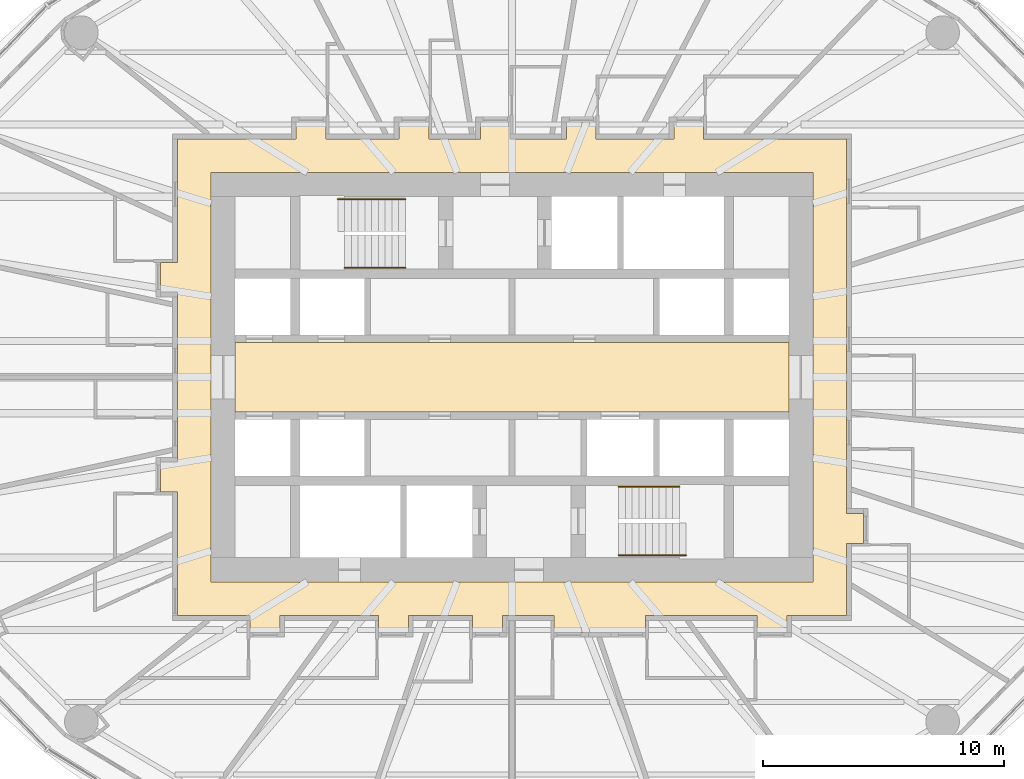
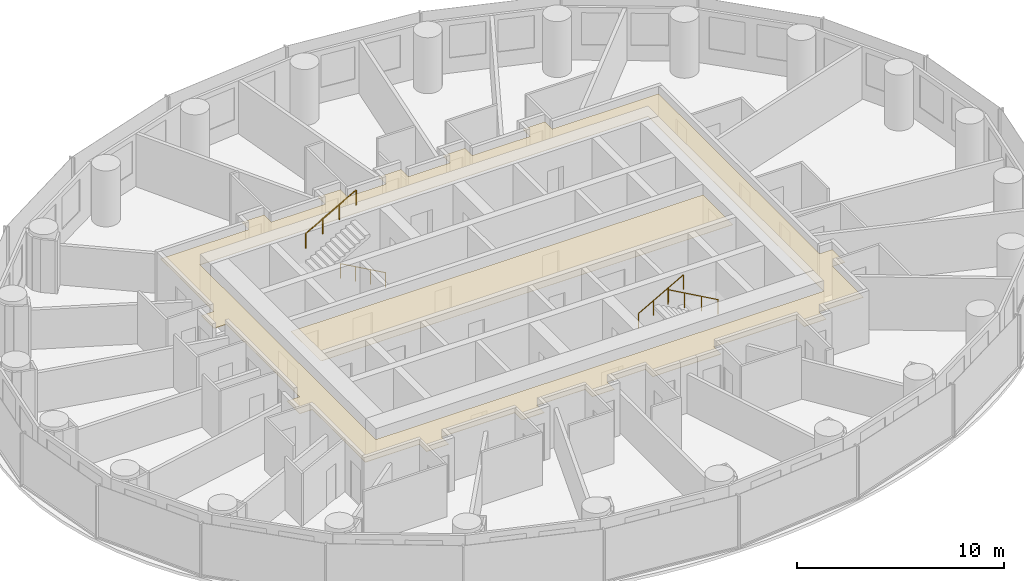
# One storey, part 14 of 14: 4 railings, 2 coverings.
"""IFC4 building model written with IfcOpenShell, lengths in metres."""

from ifc_helpers import new_model, si_unit, direction, frame, origin, origin_2d, place, context, subcontext, project, spatial, polyline, circle, outline, extrude, material, layer, layer_set, type_object, element, save


model = new_model("IFC4")

# Units and contexts
model_context = context("Model", 3, precision=1e-05, world=origin(), true_north=direction((0.0, 1.0)))
body_context = subcontext(model_context, "Body", "Model", "MODEL_VIEW")
ifc_project = project(units=[si_unit("LENGTHUNIT", "METRE"), si_unit("AREAUNIT", "SQUARE_METRE"), si_unit("VOLUMEUNIT", "CUBIC_METRE"), si_unit("PLANEANGLEUNIT", "RADIAN"), si_unit("MASSUNIT", "GRAM", prefix="KILO")], contexts=[model_context])

# Site, building, storey
site_placement = place(None, origin())
site = spatial("IfcSite", under=ifc_project, at=site_placement, CompositionType="ELEMENT")
building_placement = place(site_placement, origin())
building = spatial("IfcBuilding", under=site, at=building_placement, Name="Hankou Lantern Tower", CompositionType="ELEMENT")
storey_placement = place(building_placement, frame((0.0, 0.0, 57.300048828125)))
storey = spatial("IfcBuildingStorey", under=building, at=storey_placement, Name="L13", CompositionType="ELEMENT", Elevation=57.300048828125)

# Coverings
ifc_material_1 = material(Name="Black painted aluminium linear ceiling panels", Category="aluminium")
ifc_layer_1 = layer(ifc_material_1, 0.02490234375)
ifc_layer_set_1 = layer_set([ifc_layer_1], Name="Black painted aluminium linear ceiling panels")
covering_type_1 = type_object("IfcCoveringType", Name="CL1 CORRIDOR CEILING 25", PredefinedType="CEILING", material=ifc_layer_set_1)
covering_1_placement = place(storey_placement, frame((0.0, 0.0, 2.64501953125)))
element("IfcCovering", 1, at=covering_1_placement, inside=storey, type_object=covering_type_1, Name="Corridor ceiling L13", PredefinedType="CEILING", context=body_context, shape_type="SweptSolid", body=[
    extrude(outline(polyline([(-10.885009765625, -10.60009765625), (-9.64501953125, -10.60009765625), (-9.64501953125, -9.89990234375), (-5.549072265625, -9.89990234375), (-5.549072265625, -10.60009765625), (-4.30908203125, -10.60009765625), (-4.30908203125, -9.89990234375), (-1.642822265625, -9.89990234375), (-1.642822265625, -10.60009765625), (-0.40283203125, -10.60009765625), (-0.40283203125, -9.89990234375), (1.739990234375, -9.89990234375), (1.739990234375, -10.60009765625), (5.549072265625, -10.60009765625), (5.549072265625, -9.89990234375), (10.178955078125, -9.89990234375), (10.178955078125, -10.60009765625), (11.4189453125, -10.60009765625), (11.4189453125, -9.89990234375), (13.89990234375, -9.89990234375), (13.89990234375, -6.89892578125), (14.60009765625, -6.89892578125), (14.60009765625, -5.658935546875), (13.89990234375, -5.658935546875), (13.89990234375, 9.89990234375), (7.965087890625, 9.89990234375), (7.965087890625, 10.60009765625), (6.72509765625, 10.60009765625), (6.72509765625, 9.89990234375), (3.49853515625, 9.89990234375), (3.49853515625, 10.60009765625), (2.258544921875, 10.60009765625), (2.258544921875, 9.89990234375), (-0.074951171875, 9.89990234375), (-0.074951171875, 10.60009765625), (-1.31494140625, 10.60009765625), (-1.31494140625, 9.89990234375), (-3.455078125, 9.89990234375), (-3.455078125, 10.60009765625), (-4.695068359375, 10.60009765625), (-4.695068359375, 9.89990234375), (-7.728515625, 9.89990234375), (-7.728515625, 10.60009765625), (-8.968505859375, 10.60009765625), (-8.968505859375, 9.89990234375), (-13.89990234375, 9.89990234375), (-13.89990234375, 4.7724609375), (-14.60009765625, 4.7724609375), (-14.60009765625, 3.532470703125), (-13.89990234375, 3.532470703125), (-13.89990234375, -3.532470703125), (-14.60009765625, -3.532470703125), (-14.60009765625, -4.7724609375), (-13.89990234375, -4.7724609375), (-13.89990234375, -9.89990234375), (-10.885009765625, -9.89990234375), (-10.885009765625, -10.60009765625)]), holes=[polyline([(-12.5, 8.5), (12.5, 8.5), (12.5, -8.5), (-12.5, -8.5), (-12.5, 8.5)])]), origin(), (0.0, 0.0, 1.0), 0.02490234375),
])
ifc_material_2 = material(Name="Perforated black aluminium acoustic tray ceiling", Category="aluminium")
ifc_layer_2 = layer(ifc_material_2, 0.014892578125)
ifc_layer_set_2 = layer_set([ifc_layer_2], Name="Perforated black aluminium acoustic tray ceiling")
covering_type_2 = type_object("IfcCoveringType", Name="CL2 LIFT LOBBY CEILING 15", PredefinedType="CEILING", material=ifc_layer_set_2)
covering_2_placement = place(storey_placement, frame((0.0, 0.0, 2.655029296875)))
element("IfcCovering", 2, at=covering_2_placement, inside=storey, type_object=covering_type_2, Name="Lift lobby ceiling L13", PredefinedType="CEILING", context=body_context, shape_type="SweptSolid", body=[
    extrude(outline(polyline([(-11.5, -1.449951171875), (11.5, -1.449951171875), (11.5, 1.449951171875), (-11.5, 1.449951171875), (-11.5, -1.449951171875)])), origin(), (0.0, 0.0, 1.0), 0.014892578125),
])

# Railings
ifc_material_3 = material(Name="Steel handrail", Category="steel")
railing_type = type_object("IfcRailingType", Name="HR1 STAIR HANDRAIL", PredefinedType="HANDRAIL", material=ifc_material_3)
railing_1_placement = place(storey_placement, frame((-4.429931640625, 4.550048828125, 0.89990234375)))
element("IfcRailing", 3, at=railing_1_placement, inside=storey, type_object=railing_type, Name="Handrail stair STA L13 flight 1", PredefinedType="HANDRAIL", context=body_context, shape_type="SweptSolid", body=[
    extrude(circle(Radius=0.02392578125, at=origin_2d()), frame((0.0, 0.0, 0.8759765625), z_axis=(-0.872048945198, 0.0, 0.489418672692), x_axis=(0.0, -1.0, 0.0)), (0.0, 0.0, 1.0), 2.8896484375),
    extrude(circle(Radius=0.02099609375, at=origin_2d()), origin(), (0.0, 0.0, 1.0), 0.851806640625),
    extrude(circle(Radius=0.02099609375, at=origin_2d()), frame((-0.840087890625, 0.0, 0.471435546875)), (0.0, 0.0, 1.0), 0.851806640625),
    extrude(circle(Radius=0.02099609375, at=origin_2d()), frame((-1.679931640625, 0.0, 0.94287109375)), (0.0, 0.0, 1.0), 0.851806640625),
    extrude(circle(Radius=0.02099609375, at=origin_2d()), frame((-2.52001953125, 0.0, 1.414306640625)), (0.0, 0.0, 1.0), 0.851806640625),
])
railing_2_placement = place(storey_placement, frame((-7.22998046875, 7.39990234375, 2.471435546875)))
element("IfcRailing", 4, at=railing_2_placement, inside=storey, type_object=railing_type, Name="Handrail stair STA L13 flight 2", PredefinedType="HANDRAIL", context=body_context, shape_type="SweptSolid", body=[
    extrude(circle(Radius=0.02392578125, at=origin_2d()), frame((0.0, 0.0, 0.8759765625), z_axis=(0.872072602893, 0.0, 0.489376516891), x_axis=(0.0, 1.0, 0.0)), (0.0, 0.0, 1.0), 3.210693359375),
    extrude(circle(Radius=0.02099609375, at=origin_2d()), origin(), (0.0, 0.0, 1.0), 0.851806640625),
    extrude(circle(Radius=0.02099609375, at=origin_2d()), frame((0.933349609375, 0.0, 0.523681640625)), (0.0, 0.0, 1.0), 0.851806640625),
    extrude(circle(Radius=0.02099609375, at=origin_2d()), frame((1.86669921875, 0.0, 1.047607421875)), (0.0, 0.0, 1.0), 0.851806640625),
    extrude(circle(Radius=0.02099609375, at=origin_2d()), frame((2.800048828125, 0.0, 1.5712890625)), (0.0, 0.0, 1.0), 0.851806640625),
])
railing_3_placement = place(storey_placement, frame((4.429931640625, -4.550048828125, 0.89990234375)))
element("IfcRailing", 5, at=railing_3_placement, inside=storey, type_object=railing_type, Name="Handrail stair STB L13 flight 1", PredefinedType="HANDRAIL", context=body_context, shape_type="SweptSolid", body=[
    extrude(circle(Radius=0.02392578125, at=origin_2d()), frame((0.0, 0.0, 0.8759765625), z_axis=(0.872048945198, 0.0, 0.489418672692), x_axis=(0.0, 1.0, 0.0)), (0.0, 0.0, 1.0), 2.8896484375),
    extrude(circle(Radius=0.02099609375, at=origin_2d()), origin(), (0.0, 0.0, 1.0), 0.851806640625),
    extrude(circle(Radius=0.02099609375, at=origin_2d()), frame((0.840087890625, 0.0, 0.471435546875)), (0.0, 0.0, 1.0), 0.851806640625),
    extrude(circle(Radius=0.02099609375, at=origin_2d()), frame((1.679931640625, 0.0, 0.94287109375)), (0.0, 0.0, 1.0), 0.851806640625),
    extrude(circle(Radius=0.02099609375, at=origin_2d()), frame((2.52001953125, 0.0, 1.414306640625)), (0.0, 0.0, 1.0), 0.851806640625),
])
railing_4_placement = place(storey_placement, frame((7.22998046875, -7.39990234375, 2.471435546875)))
element("IfcRailing", 6, at=railing_4_placement, inside=storey, type_object=railing_type, Name="Handrail stair STB L13 flight 2", PredefinedType="HANDRAIL", context=body_context, shape_type="SweptSolid", body=[
    extrude(circle(Radius=0.02392578125, at=origin_2d()), frame((0.0, 0.0, 0.8759765625), z_axis=(-0.872072602893, 0.0, 0.489376516891), x_axis=(0.0, -1.0, 0.0)), (0.0, 0.0, 1.0), 3.210693359375),
    extrude(circle(Radius=0.02099609375, at=origin_2d()), origin(), (0.0, 0.0, 1.0), 0.851806640625),
    extrude(circle(Radius=0.02099609375, at=origin_2d()), frame((-0.933349609375, 0.0, 0.523681640625)), (0.0, 0.0, 1.0), 0.851806640625),
    extrude(circle(Radius=0.02099609375, at=origin_2d()), frame((-1.86669921875, 0.0, 1.047607421875)), (0.0, 0.0, 1.0), 0.851806640625),
    extrude(circle(Radius=0.02099609375, at=origin_2d()), frame((-2.800048828125, 0.0, 1.5712890625)), (0.0, 0.0, 1.0), 0.851806640625),
])

save(model, "model.ifc")
